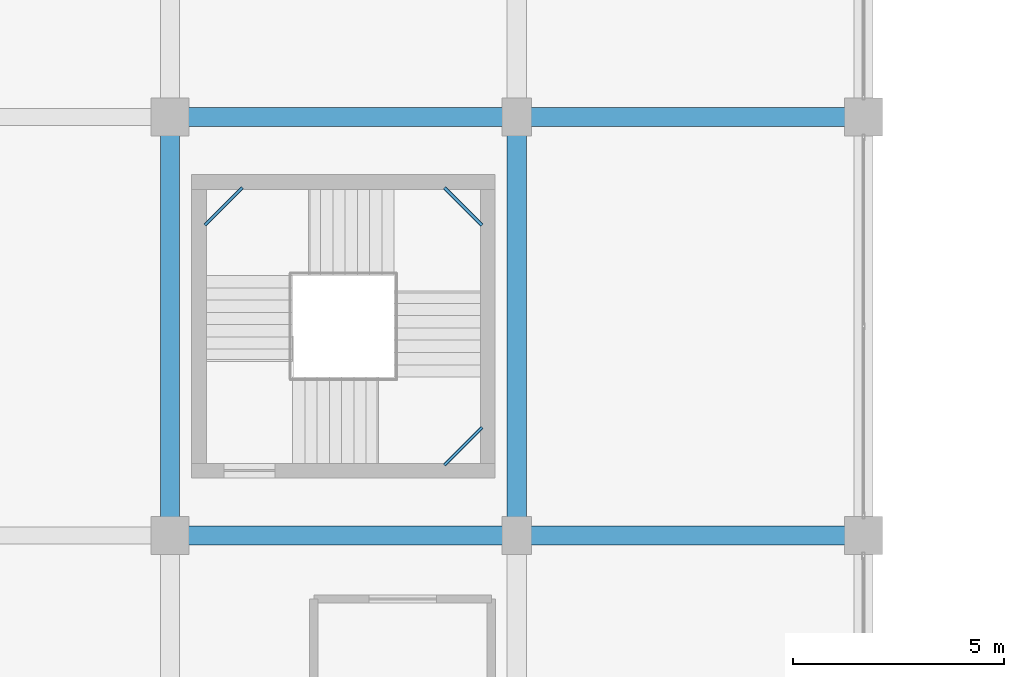
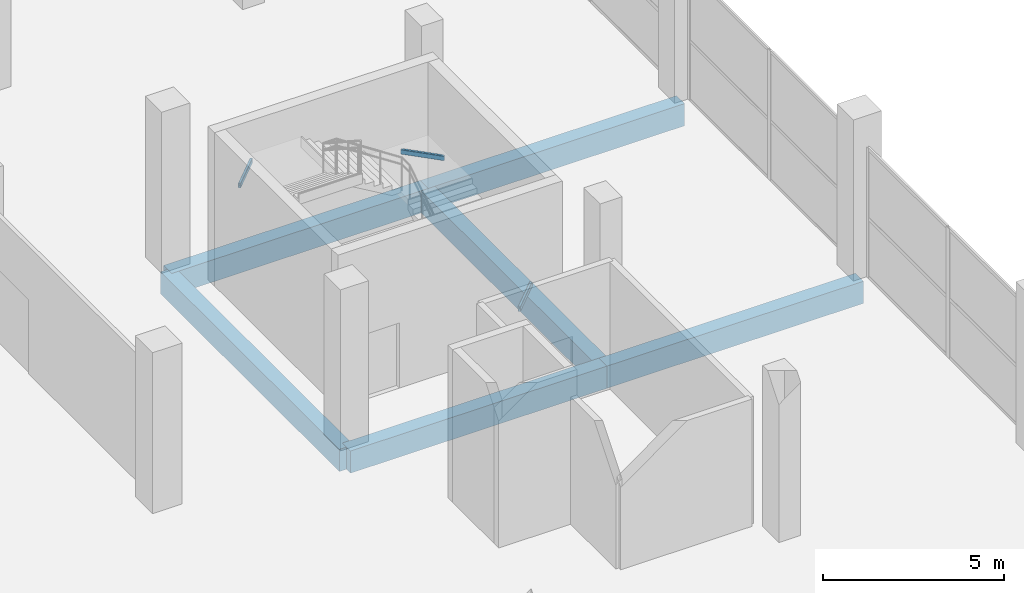
# One storey, part 9 of 50: 9 beams.
"""IFC4 building model written with IfcOpenShell, lengths in metres."""

from ifc_helpers import new_model, si_unit, direction, frame, origin, origin_2d, place, context, subcontext, project, spatial, rectangle, hollow_rectangle, extrude, material, material_profile, profile_set, type_object, element, save


model = new_model("IFC4")

# Units and contexts
model_context = context("Model", 3, precision=1e-05, world=origin(), true_north=direction((0.0, 1.0)))
body_context = subcontext(model_context, "Body", "Model", "MODEL_VIEW")
ifc_project = project(units=[si_unit("LENGTHUNIT", "METRE"), si_unit("AREAUNIT", "SQUARE_METRE"), si_unit("VOLUMEUNIT", "CUBIC_METRE"), si_unit("PLANEANGLEUNIT", "RADIAN"), si_unit("MASSUNIT", "GRAM", prefix="KILO")], contexts=[model_context])

# Site, building, storey
site_placement = place(None, origin())
site = spatial("IfcSite", under=ifc_project, at=site_placement, CompositionType="ELEMENT")
building_placement = place(site_placement, origin())
building = spatial("IfcBuilding", under=site, at=building_placement, Name="Sillaruma Civic Art Gallery", CompositionType="ELEMENT")
storey_placement = place(building_placement, origin())
storey = spatial("IfcBuildingStorey", under=building, at=storey_placement, Name="L00", CompositionType="ELEMENT", Elevation=0.0)

# Beams
ifc_material_1 = material(Name="Concrete H40 (40 MPa)", Category="concrete")
ifc_material_profile_1 = material_profile(ifc_material_1, rectangle(XDim=0.449951171875, YDim=0.75, at=origin_2d()), Name="RCB450x750")
ifc_profile_set_1 = profile_set([ifc_material_profile_1], Name="Concrete H40 (40 MPa)")
beam_type_1 = type_object("IfcBeamType", Name="BM-BEAM-RCB450x750", PredefinedType="BEAM", material=ifc_profile_set_1)
for number, where, z_axis, x_axis, name in (
    (1, (98.0, 49.5, -0.675048828125), (1.0, 0.0, 0.0), (0.0, 1.0, 0.0), "Beam BM-03 (B01:6:L-M)"),
    (2, (106.199951171875, 49.5, -0.675048828125), (1.0, 0.0, 0.0), (0.0, 1.0, 0.0), "Beam BM-03 (B01:6:M-N)"),
    (3, (98.0, 59.39990234375, -0.675048828125), (1.0, 0.0, 0.0), (0.0, 1.0, 0.0), "Beam BM-03 (B01:7:L-M)"),
    (4, (106.199951171875, 59.39990234375, -0.675048828125), (1.0, 0.0, 0.0), (0.0, 1.0, 0.0), "Beam BM-03 (B01:7:M-N)"),
):
    element("IfcBeam", number, at=place(storey_placement, frame(where, z_axis=z_axis, x_axis=x_axis)), inside=storey, type_object=beam_type_1, Name=name, PredefinedType="BEAM", context=body_context, shape_type="SweptSolid", body=[
        extrude(rectangle(XDim=0.449951171875, YDim=0.75, at=origin_2d()), origin(), (0.0, 0.0, 1.0), 8.199951171875),
    ])
for number, where, z_axis, x_axis, name in (
    (5, (98.0, 49.5, -0.675048828125), (0.0, 1.0, 0.0), (-1.0, 0.0, 0.0), "Beam BM-03 (B01:L:6-7)"),
    (6, (106.199951171875, 49.5, -0.675048828125), (0.0, 1.0, 0.0), (-1.0, 0.0, 0.0), "Beam BM-03 (B01:M:6-7)"),
):
    element("IfcBeam", number, at=place(storey_placement, frame(where, z_axis=z_axis, x_axis=x_axis)), inside=storey, type_object=beam_type_1, Name=name, PredefinedType="BEAM", context=body_context, shape_type="SweptSolid", body=[
        extrude(rectangle(XDim=0.449951171875, YDim=0.75, at=origin_2d()), origin(), (0.0, 0.0, 1.0), 9.89990234375),
    ])
ifc_material_2 = material(Name="Structural Steel ASTM A500 Gr.C", Category="steel")
ifc_material_profile_2 = material_profile(ifc_material_2, hollow_rectangle(XDim=0.080078125, YDim=0.159912109375, WallThickness=0.008056640625, InnerFilletRadius=0.008056640625, OuterFilletRadius=0.01611328125, at=origin_2d()), Name="HSS160x80x8")
ifc_profile_set_2 = profile_set([ifc_material_profile_2], Name="Structural Steel ASTM A500 Gr.C")
beam_type_2 = type_object("IfcBeamType", Name="BM-LND-HSS160", PredefinedType="BEAM", material=ifc_profile_set_2)
beam_placement = place(storey_placement, frame((104.489990234375, 51.169921875, 1.080078125), z_axis=(0.707009791025, 0.707203758046, 0.0), x_axis=(-0.707203758046, 0.707009791025, 0.0)))
element("IfcBeam", 7, at=beam_placement, inside=storey, type_object=beam_type_2, Name="Stair Corner Landing Trimmer Beam (ST-04-L00-1)", PredefinedType="BEAM", context=body_context, shape_type="SweptSolid", body=[
    extrude(hollow_rectangle(XDim=0.080078125, YDim=0.159912109375, WallThickness=0.008056640625, InnerFilletRadius=0.008056640625, OuterFilletRadius=0.01611328125, at=origin_2d()), origin(), (0.0, 0.0, 1.0), 1.2587890625),
])
for number, where, z_axis, x_axis, name in (
    (8, (104.489990234375, 57.72998046875, 2.43994140625), (0.707106781187, -0.707106781187, 0.0), (0.707106781187, 0.707106781187, 0.0), "Stair Corner Landing Trimmer Beam (ST-04-L00-2)"),
    (9, (98.820068359375, 56.840087890625, 3.800048828125), (0.707106781187, 0.707106781187, 0.0), (-0.707106781187, 0.707106781187, 0.0), "Stair Corner Landing Trimmer Beam (ST-04-L00-3)"),
):
    element("IfcBeam", number, at=place(storey_placement, frame(where, z_axis=z_axis, x_axis=x_axis)), inside=storey, type_object=beam_type_2, Name=name, PredefinedType="BEAM", context=body_context, shape_type="SweptSolid", body=[
        extrude(hollow_rectangle(XDim=0.080078125, YDim=0.159912109375, WallThickness=0.008056640625, InnerFilletRadius=0.008056640625, OuterFilletRadius=0.01611328125, at=origin_2d()), origin(), (0.0, 0.0, 1.0), 1.258544921875),
    ])

save(model, "model.ifc")
